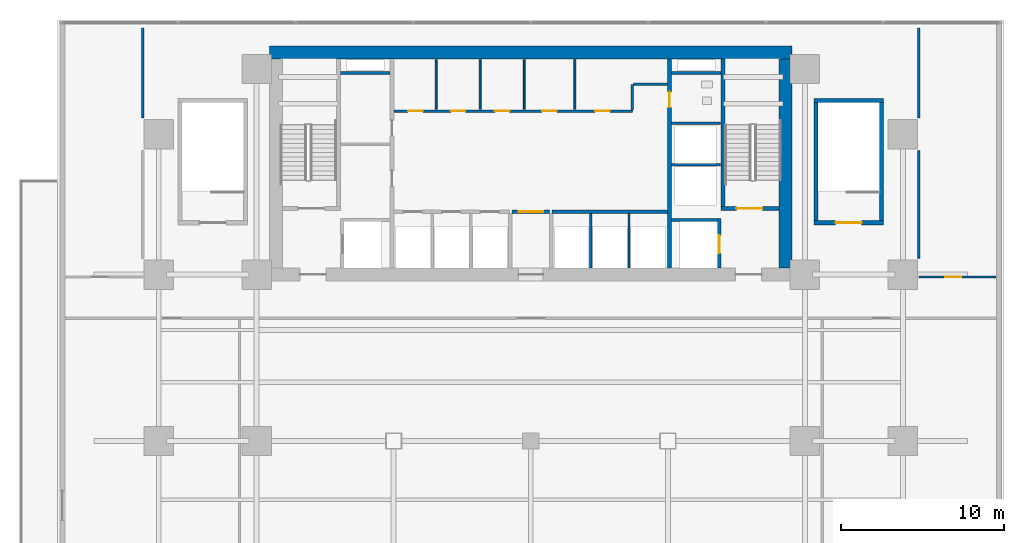
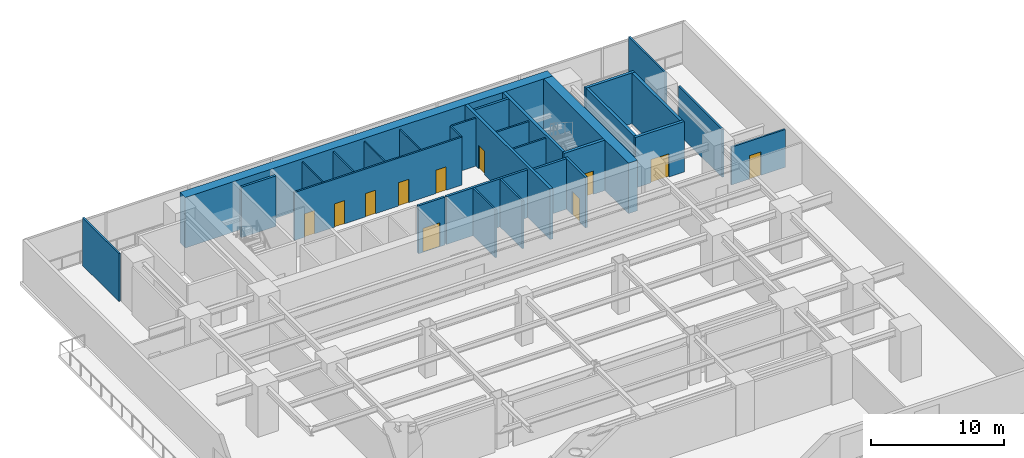
# One storey, part 10 of 15: 30 walls, 11 doors, 11 openings.
"""IFC4 building model written with IfcOpenShell, lengths in metres."""

from ifc_helpers import new_model, si_unit, direction, frame, frame_2d, origin, place, context, subcontext, project, spatial, rectangle, extrude, source, transform, mapped, material, layer, layer_set, type_object, element, fill, save


model = new_model("IFC4")

# Units and contexts
model_context = context("Model", 3, precision=1e-05, world=origin(), true_north=direction((0.0, 1.0)))
body_context = subcontext(model_context, "Body", "Model", "MODEL_VIEW")
ifc_project = project(units=[si_unit("LENGTHUNIT", "METRE"), si_unit("AREAUNIT", "SQUARE_METRE"), si_unit("VOLUMEUNIT", "CUBIC_METRE"), si_unit("PLANEANGLEUNIT", "RADIAN"), si_unit("MASSUNIT", "GRAM", prefix="KILO")], contexts=[model_context])

# Site, building, storey
site_placement = place(None, origin())
site = spatial("IfcSite", under=ifc_project, at=site_placement, CompositionType="ELEMENT")
building_placement = place(site_placement, origin())
building = spatial("IfcBuilding", under=site, at=building_placement, Name="Sumidabori Civic Tower", CompositionType="ELEMENT")
storey_placement = place(building_placement, frame((0.0, 0.0, 18.949951171875)))
storey = spatial("IfcBuildingStorey", under=building, at=storey_placement, Name="L04", CompositionType="ELEMENT", Elevation=18.949951171875)

# Walls
ifc_material_1 = material(Name="Concrete C60/75", Category="concrete")
ifc_layer_1 = layer(ifc_material_1, 0.800048828125, Name="Concrete C60/75")
ifc_layer_set_1 = layer_set([ifc_layer_1], Name="Concrete C60/75")
wall_type_1 = type_object("IfcWallType", Name="WL-CORE-800", PredefinedType="SHEAR", material=ifc_layer_set_1)
shared_shape_1 = source(origin(), body_context, "Body", "SweptSolid", [
    extrude(rectangle(XDim=32.0, YDim=0.800048828125, at=frame_2d((16.0, 0.0))), origin(), (0.0, 0.0, 1.0), 4.650146484375),
])
wall_1_placement = place(storey_placement, frame((-16.0, 23.800048828125, 0.0), z_axis=(0.0, 0.0, 1.0), x_axis=(1.0, 0.0, 0.0)))
element("IfcWall", 1, at=wall_1_placement, inside=storey, type_object=wall_type_1, Name="Core Shear Wall L04 N", PredefinedType="SHEAR", context=body_context, shape_type="MappedRepresentation", body=[
    mapped(shared_shape_1, transform((0.0, 0.0, 0.0), x_axis=(1.0, 0.0, 0.0), y_axis=(0.0, 1.0, 0.0), z_axis=(0.0, 0.0, 1.0), scale=1.0)),
])
shared_shape_2 = source(origin(), body_context, "Body", "SweptSolid", [
    extrude(rectangle(XDim=12.7998046875, YDim=0.800048828125, at=frame_2d((6.39990234375, 0.0))), origin(), (0.0, 0.0, 1.0), 4.650146484375),
])
wall_2_placement = place(storey_placement, frame((15.60009765625, 10.60009765625, 0.0), z_axis=(0.0, 0.0, 1.0), x_axis=(0.0, 1.0, 0.0)))
element("IfcWall", 2, at=wall_2_placement, inside=storey, type_object=wall_type_1, Name="Core Shear Wall L04 E", PredefinedType="SHEAR", context=body_context, shape_type="MappedRepresentation", body=[
    mapped(shared_shape_2, transform((0.0, 0.0, 0.0), x_axis=(1.0, 0.0, 0.0), y_axis=(0.0, 1.0, 0.0), z_axis=(0.0, 0.0, 1.0), scale=1.0)),
])

# Wall, opening, door
ifc_material_2 = material(Name="Concrete C50/60", Category="concrete")
ifc_layer_2 = layer(ifc_material_2, 0.25, Name="Concrete C50/60")
ifc_layer_set_2 = layer_set([ifc_layer_2], Name="Concrete C50/60")
wall_type_2 = type_object("IfcWallType", Name="WL-SHAFT-250", PredefinedType="SHEAR", material=ifc_layer_set_2)
shared_shape_3 = source(origin(), body_context, "Body", "SweptSolid", [
    extrude(rectangle(XDim=12.7998046875, YDim=0.25, at=frame_2d((6.39990234375, 0.0))), origin(), (0.0, 0.0, 1.0), 4.650146484375),
])
wall_3_placement = place(storey_placement, frame((8.5, 10.60009765625, 0.0), z_axis=(0.0, 0.0, 1.0), x_axis=(0.0, 1.0, 0.0)))
wall_3 = element("IfcWall", 3, at=wall_3_placement, inside=storey, type_object=wall_type_2, Name="Core Shear Wall L04 WEB-E", PredefinedType="SHEAR", context=body_context, shape_type="MappedRepresentation", body=[
    mapped(shared_shape_3, transform((0.0, 0.0, 0.0), x_axis=(1.0, 0.0, 0.0), y_axis=(0.0, 1.0, 0.0), z_axis=(0.0, 0.0, 1.0), scale=1.0)),
])
opening_1_placement = place(wall_3_placement, frame((9.85009765625, 0.0, 0.0)))
opening_1 = element("IfcOpeningElement", 4, at=opening_1_placement, cuts=wall_3, Name="Opening DR-2", PredefinedType="OPENING", context=body_context, shape_type="SweptSolid", body=[
    extrude(rectangle(XDim=0.949951171875, YDim=2.14990234375, at=frame_2d((0.47509765625, 1.074951171875))), frame((0.0, 0.136962890625, 0.0), z_axis=(0.0, -1.0, 0.0), x_axis=(1.0, 0.0, 0.0)), (0.0, 0.0, 1.0), 0.27392578125),
])
ifc_material_3 = material(Name="Japanese Hinoki Timber", Category="wood")
door_type_1 = type_object("IfcDoorType", Name="DR-INT-950", OperationType="NOTDEFINED", PredefinedType="DOOR", material=ifc_material_3)
shared_shape_4 = source(origin(), body_context, "Body", "SweptSolid", [
    extrude(rectangle(XDim=0.949951171875, YDim=2.14990234375, at=frame_2d((0.47509765625, 1.074951171875))), frame((0.0, 0.02490234375, 0.0), z_axis=(0.0, -1.0, 0.0), x_axis=(1.0, 0.0, 0.0)), (0.0, 0.0, 1.0), 0.050048828125),
])
door_1_placement = place(opening_1_placement, origin())
door_1 = element("IfcDoor", 5, at=door_1_placement, inside=storey, type_object=door_type_1, Name="Door DR:L04:WC-ACC", OperationType="SINGLE_SWING_RIGHT", OverallHeight=2.14990234375, OverallWidth=0.949951171875, PredefinedType="DOOR", context=body_context, shape_type="MappedRepresentation", body=[
    mapped(shared_shape_4, transform((0.0, 0.0, 0.0), x_axis=(1.0, 0.0, 0.0), y_axis=(0.0, 1.0, 0.0), z_axis=(0.0, 0.0, 1.0), scale=1.0)),
])
fill(opening_1, door_1)

shared_shape_5 = source(origin(), body_context, "Body", "SweptSolid", [
    extrude(rectangle(XDim=3.554931640625, YDim=0.25, at=frame_2d((1.77734375, 0.0))), origin(), (0.0, 0.0, 1.0), 4.650146484375),
])
wall_4_placement = place(storey_placement, frame((11.64501953125, 14.25, 0.0), z_axis=(0.0, 0.0, 1.0), x_axis=(1.0, 0.0, 0.0)))
wall_4 = element("IfcWall", 6, at=wall_4_placement, inside=storey, type_object=wall_type_2, Name="Core Shear Wall L04 ST2-S", PredefinedType="SHEAR", context=body_context, shape_type="MappedRepresentation", body=[
    mapped(shared_shape_5, transform((0.0, 0.0, 0.0), x_axis=(1.0, 0.0, 0.0), y_axis=(0.0, 1.0, 0.0), z_axis=(0.0, 0.0, 1.0), scale=1.0)),
])
opening_2_placement = place(wall_4_placement, frame((0.949951171875, 0.0, 0.0)))
opening_2 = element("IfcOpeningElement", 7, at=opening_2_placement, cuts=wall_4, Name="Opening DR-FD4", PredefinedType="OPENING", context=body_context, shape_type="SweptSolid", body=[
    extrude(rectangle(XDim=1.60009765625, YDim=2.14990234375, at=frame_2d((0.800048828125, 1.074951171875))), frame((0.0, 0.136962890625, 0.0), z_axis=(0.0, -1.0, 0.0), x_axis=(1.0, 0.0, 0.0)), (0.0, 0.0, 1.0), 0.27392578125),
])
ifc_material_4 = material(Name="Steel SN490", Category="steel")
door_type_2 = type_object("IfcDoorType", Name="DR-FD4", OperationType="DOUBLE_DOOR_SINGLE_SWING", PredefinedType="DOOR", material=ifc_material_4)
shared_shape_6 = source(origin(), body_context, "Body", "SweptSolid", [
    extrude(rectangle(XDim=1.60009765625, YDim=2.14990234375, at=frame_2d((0.800048828125, 1.074951171875))), frame((0.0, 0.02490234375, 0.0), z_axis=(0.0, -1.0, 0.0), x_axis=(1.0, 0.0, 0.0)), (0.0, 0.0, 1.0), 0.050048828125),
])
door_2_placement = place(opening_2_placement, origin())
door_2 = element("IfcDoor", 8, at=door_2_placement, inside=storey, type_object=door_type_2, Name="Door DR:L04:ST2", OperationType="DOUBLE_DOOR_SINGLE_SWING", OverallHeight=2.14990234375, OverallWidth=1.60009765625, PredefinedType="DOOR", context=body_context, shape_type="MappedRepresentation", body=[
    mapped(shared_shape_6, transform((0.0, 0.0, 0.0), x_axis=(1.0, 0.0, 0.0), y_axis=(0.0, 1.0, 0.0), z_axis=(0.0, 0.0, 1.0), scale=1.0)),
])
fill(opening_2, door_2)

# Wall
shared_shape_7 = source(origin(), body_context, "Body", "SweptSolid", [
    extrude(rectangle(XDim=9.02490234375, YDim=0.25, at=frame_2d((4.512451171875, 0.0))), origin(), (0.0, 0.0, 1.0), 4.650146484375),
])
wall_5_placement = place(storey_placement, frame((11.77001953125, 14.375, 0.0), z_axis=(0.0, 0.0, 1.0), x_axis=(0.0, 1.0, 0.0)))
element("IfcWall", 9, at=wall_5_placement, inside=storey, type_object=wall_type_2, Name="Core Shear Wall L04 ST2-W", PredefinedType="SHEAR", context=body_context, shape_type="MappedRepresentation", body=[
    mapped(shared_shape_7, transform((0.0, 0.0, 0.0), x_axis=(1.0, 0.0, 0.0), y_axis=(0.0, 1.0, 0.0), z_axis=(0.0, 0.0, 1.0), scale=1.0)),
])

# Wall, opening, door
ifc_layer_3 = layer(ifc_material_2, 0.199951171875, Name="Concrete C50/60")
ifc_layer_set_3 = layer_set([ifc_layer_3], Name="Concrete C50/60")
wall_type_3 = type_object("IfcWallType", Name="WL-SHAFT-200", PredefinedType="SHEAR", material=ifc_layer_set_3)
shared_shape_8 = source(origin(), body_context, "Body", "SweptSolid", [
    extrude(rectangle(XDim=3.0498046875, YDim=0.199951171875, at=frame_2d((1.52490234375, 0.0))), origin(), (0.0, 0.0, 1.0), 4.650146484375),
])
wall_6_placement = place(storey_placement, frame((11.550048828125, 10.60009765625, 0.0), z_axis=(0.0, 0.0, 1.0), x_axis=(0.0, 1.0, 0.0)))
wall_6 = element("IfcWall", 10, at=wall_6_placement, inside=storey, type_object=wall_type_3, Name="Core Shear Wall L04 EL2-E", PredefinedType="SHEAR", context=body_context, shape_type="MappedRepresentation", body=[
    mapped(shared_shape_8, transform((0.0, 0.0, 0.0), x_axis=(1.0, 0.0, 0.0), y_axis=(0.0, 1.0, 0.0), z_axis=(0.0, 0.0, 1.0), scale=1.0)),
])
opening_3_placement = place(wall_6_placement, frame((0.89990234375, 0.0, 0.0)))
opening_3 = element("IfcOpeningElement", 11, at=opening_3_placement, cuts=wall_6, Name="Opening LD-2", PredefinedType="OPENING", context=body_context, shape_type="SweptSolid", body=[
    extrude(rectangle(XDim=1.10009765625, YDim=2.14990234375, at=frame_2d((0.550048828125, 1.074951171875))), frame((0.0, 0.11181640625, 0.0), z_axis=(0.0, -1.0, 0.0), x_axis=(1.0, 0.0, 0.0)), (0.0, 0.0, 1.0), 0.223876953125),
])
ifc_material_5 = material(Name="Stainless Steel Hairline Finish", Category="steel")
door_type_3 = type_object("IfcDoorType", Name="DR-LD2", OperationType="DOUBLE_DOOR_SLIDING", PredefinedType="DOOR", material=ifc_material_5)
shared_shape_9 = source(origin(), body_context, "Body", "SweptSolid", [
    extrude(rectangle(XDim=1.10009765625, YDim=2.14990234375, at=frame_2d((0.550048828125, 1.074951171875))), frame((0.0, 0.02490234375, 0.0), z_axis=(0.0, -1.0, 0.0), x_axis=(1.0, 0.0, 0.0)), (0.0, 0.0, 1.0), 0.050048828125),
])
door_3_placement = place(opening_3_placement, origin())
door_3 = element("IfcDoor", 12, at=door_3_placement, inside=storey, type_object=door_type_3, Name="Door DR:L04:LD-EL2", OperationType="DOUBLE_DOOR_SLIDING", OverallHeight=2.14990234375, OverallWidth=1.10009765625, PredefinedType="DOOR", context=body_context, shape_type="MappedRepresentation", body=[
    mapped(shared_shape_9, transform((0.0, 0.0, 0.0), x_axis=(1.0, 0.0, 0.0), y_axis=(0.0, 1.0, 0.0), z_axis=(0.0, 0.0, 1.0), scale=1.0)),
])
fill(opening_3, door_3)

# Walls
shared_shape_10 = source(origin(), body_context, "Body", "SweptSolid", [
    extrude(rectangle(XDim=2.824951171875, YDim=0.199951171875, at=frame_2d((1.41259765625, 0.0))), origin(), (0.0, 0.0, 1.0), 4.650146484375),
])
wall_7_placement = place(storey_placement, frame((8.625, 13.550048828125, 0.0), z_axis=(0.0, 0.0, 1.0), x_axis=(1.0, 0.0, 0.0)))
element("IfcWall", 13, at=wall_7_placement, inside=storey, type_object=wall_type_3, Name="Core Shear Wall L04 EL2-N", PredefinedType="SHEAR", context=body_context, shape_type="MappedRepresentation", body=[
    mapped(shared_shape_10, transform((0.0, 0.0, 0.0), x_axis=(1.0, 0.0, 0.0), y_axis=(0.0, 1.0, 0.0), z_axis=(0.0, 0.0, 1.0), scale=1.0)),
])
shared_shape_11 = source(origin(), body_context, "Body", "SweptSolid", [
    extrude(rectangle(XDim=3.02001953125, YDim=0.199951171875, at=frame_2d((1.510009765625, 0.0))), origin(), (0.0, 0.0, 1.0), 4.650146484375),
])
for number, where, z_axis, x_axis, name in (
    (14, (-11.64501953125, 22.550048828125, 0.0), (0.0, 0.0, 1.0), (1.0, 0.0, 0.0), "Core Shear Wall L04 RIS1-S"),
    (15, (8.625, 22.550048828125, 0.0), (0.0, 0.0, 1.0), (1.0, 0.0, 0.0), "Core Shear Wall L04 RIS2-S"),
):
    element("IfcWall", number, at=place(storey_placement, frame(where, z_axis=z_axis, x_axis=x_axis)), inside=storey, type_object=wall_type_3, Name=name, PredefinedType="SHEAR", context=body_context, shape_type="MappedRepresentation", body=[
        mapped(shared_shape_11, transform((0.0, 0.0, 0.0), x_axis=(1.0, 0.0, 0.0), y_axis=(0.0, 1.0, 0.0), z_axis=(0.0, 0.0, 1.0), scale=1.0)),
    ])
shared_shape_12 = source(origin(), body_context, "Body", "SweptSolid", [
    extrude(rectangle(XDim=4.260009765625, YDim=0.25, at=frame_2d((2.1298828125, 0.0))), origin(), (0.0, 0.0, 1.0), 4.650146484375),
])
wall_8_placement = place(storey_placement, frame((17.35009765625, 20.864990234375, 0.0), z_axis=(0.0, 0.0, 1.0), x_axis=(1.0, 0.0, 0.0)))
element("IfcWall", 16, at=wall_8_placement, inside=storey, type_object=wall_type_2, Name="Core Shear Wall L04 ST4-N", PredefinedType="SHEAR", context=body_context, shape_type="MappedRepresentation", body=[
    mapped(shared_shape_12, transform((0.0, 0.0, 0.0), x_axis=(1.0, 0.0, 0.0), y_axis=(0.0, 1.0, 0.0), z_axis=(0.0, 0.0, 1.0), scale=1.0)),
])

# Wall, opening, door
wall_9_placement = place(storey_placement, frame((17.35009765625, 13.375, 0.0), z_axis=(0.0, 0.0, 1.0), x_axis=(1.0, 0.0, 0.0)))
wall_9 = element("IfcWall", 17, at=wall_9_placement, inside=storey, type_object=wall_type_2, Name="Core Shear Wall L04 ST4-S", PredefinedType="SHEAR", context=body_context, shape_type="MappedRepresentation", body=[
    mapped(shared_shape_12, transform((0.0, 0.0, 0.0), x_axis=(1.0, 0.0, 0.0), y_axis=(0.0, 1.0, 0.0), z_axis=(0.0, 0.0, 1.0), scale=1.0)),
])
opening_4_placement = place(wall_9_placement, frame((1.330078125, 0.0, 0.0)))
opening_4 = element("IfcOpeningElement", 18, at=opening_4_placement, cuts=wall_9, Name="Opening DR-FD4", PredefinedType="OPENING", context=body_context, shape_type="SweptSolid", body=[
    extrude(rectangle(XDim=1.60009765625, YDim=2.14990234375, at=frame_2d((0.800048828125, 1.074951171875))), frame((0.0, 0.136962890625, 0.0), z_axis=(0.0, -1.0, 0.0), x_axis=(1.0, 0.0, 0.0)), (0.0, 0.0, 1.0), 0.27392578125),
])
door_4_placement = place(opening_4_placement, origin())
door_4 = element("IfcDoor", 19, at=door_4_placement, inside=storey, type_object=door_type_2, Name="Door DR:L04:ST4", OperationType="DOUBLE_DOOR_SINGLE_SWING", OverallHeight=2.14990234375, OverallWidth=1.60009765625, PredefinedType="DOOR", context=body_context, shape_type="MappedRepresentation", body=[
    mapped(shared_shape_6, transform((0.0, 0.0, 0.0), x_axis=(1.0, 0.0, 0.0), y_axis=(0.0, 1.0, 0.0), z_axis=(0.0, 0.0, 1.0), scale=1.0)),
])
fill(opening_4, door_4)

# Walls
shared_shape_13 = source(origin(), body_context, "Body", "SweptSolid", [
    extrude(rectangle(XDim=7.230224609375, YDim=0.25, at=frame_2d((3.615234375, 0.0))), origin(), (0.0, 0.0, 1.0), 4.650146484375),
])
for number, where, z_axis, x_axis, name in (
    (20, (17.47509765625, 13.5048828125, 0.0), (0.0, 0.0, 1.0), (0.0, 1.0, 0.0), "Core Shear Wall L04 ST4-W"),
    (21, (21.485107421875, 13.5048828125, 0.0), (0.0, 0.0, 1.0), (0.0, 1.0, 0.0), "Core Shear Wall L04 ST4-E"),
):
    element("IfcWall", number, at=place(storey_placement, frame(where, z_axis=z_axis, x_axis=x_axis)), inside=storey, type_object=wall_type_2, Name=name, PredefinedType="SHEAR", context=body_context, shape_type="MappedRepresentation", body=[
        mapped(shared_shape_13, transform((0.0, 0.0, 0.0), x_axis=(1.0, 0.0, 0.0), y_axis=(0.0, 1.0, 0.0), z_axis=(0.0, 0.0, 1.0), scale=1.0)),
    ])
ifc_material_6 = material(Name="Gypsum Plasterboard Acoustic Partition")
ifc_layer_4 = layer(ifc_material_6, 0.14990234375, Name="Gypsum Plasterboard Acoustic Partition")
ifc_layer_set_4 = layer_set([ifc_layer_4], Name="Gypsum Plasterboard Acoustic Partition")
wall_type_4 = type_object("IfcWallType", Name="WL-PART-150", PredefinedType="PARTITIONING", material=ifc_layer_set_4)
shared_shape_14 = source(origin(), body_context, "Body", "SweptSolid", [
    extrude(rectangle(XDim=3.010009765625, YDim=0.14990234375, at=frame_2d((1.5048828125, 0.0))), origin(), (0.0, 0.0, 1.0), 4.41015625),
])
for number, where, z_axis, x_axis, name in (
    (22, (8.6298828125, 16.919921875, 0.0), (0.0, 0.0, 1.0), (1.0, 0.0, 0.0), "Interior Partition WL:L04:DIV-OBS1"),
    (23, (8.6298828125, 19.469970703125, 0.0), (0.0, 0.0, 1.0), (1.0, 0.0, 0.0), "Interior Partition WL:L04:DIV-OBS2"),
):
    element("IfcWall", number, at=place(storey_placement, frame(where, z_axis=z_axis, x_axis=x_axis)), inside=storey, type_object=wall_type_4, Name=name, PredefinedType="PARTITIONING", context=body_context, shape_type="MappedRepresentation", body=[
        mapped(shared_shape_14, transform((0.0, 0.0, 0.0), x_axis=(1.0, 0.0, 0.0), y_axis=(0.0, 1.0, 0.0), z_axis=(0.0, 0.0, 1.0), scale=1.0)),
    ])
ifc_material_7 = material(Name="Gypsum Plasterboard Fire Partition")
ifc_layer_5 = layer(ifc_material_7, 0.199951171875, Name="Gypsum Plasterboard Fire Partition")
ifc_layer_set_5 = layer_set([ifc_layer_5], Name="Gypsum Plasterboard Fire Partition")
wall_type_5 = type_object("IfcWallType", Name="WL-PART-FIRE", PredefinedType="PARTITIONING", material=ifc_layer_set_5)
shared_shape_15 = source(origin(), body_context, "Body", "SweptSolid", [
    extrude(rectangle(XDim=7.070068359375, YDim=0.199951171875, at=frame_2d((3.53515625, 0.0))), origin(), (0.0, 0.0, 1.0), 4.41015625),
])
wall_10_placement = place(storey_placement, frame((1.300048828125, 14.050048828125, 0.0), z_axis=(0.0, 0.0, 1.0), x_axis=(1.0, 0.0, 0.0)))
element("IfcWall", 24, at=wall_10_placement, inside=storey, type_object=wall_type_5, Name="Interior Partition WL:L04:CBAND-SE", PredefinedType="PARTITIONING", context=body_context, shape_type="MappedRepresentation", body=[
    mapped(shared_shape_15, transform((0.0, 0.0, 0.0), x_axis=(1.0, 0.0, 0.0), y_axis=(0.0, 1.0, 0.0), z_axis=(0.0, 0.0, 1.0), scale=1.0)),
])

# Wall, opening, door
shared_shape_16 = source(origin(), body_context, "Body", "SweptSolid", [
    extrude(rectangle(XDim=2.2998046875, YDim=0.199951171875, at=frame_2d((1.14990234375, 0.0))), origin(), (0.0, 0.0, 1.0), 4.41015625),
])
wall_11_placement = place(storey_placement, frame((-1.14990234375, 14.050048828125, 0.0), z_axis=(0.0, 0.0, 1.0), x_axis=(1.0, 0.0, 0.0)))
wall_11 = element("IfcWall", 25, at=wall_11_placement, inside=storey, type_object=wall_type_5, Name="Interior Partition WL:L04:THROAT-N", PredefinedType="PARTITIONING", context=body_context, shape_type="MappedRepresentation", body=[
    mapped(shared_shape_16, transform((0.0, 0.0, 0.0), x_axis=(1.0, 0.0, 0.0), y_axis=(0.0, 1.0, 0.0), z_axis=(0.0, 0.0, 1.0), scale=1.0)),
])
opening_5_placement = place(wall_11_placement, frame((0.39990234375, 0.0, 0.0)))
opening_5 = element("IfcOpeningElement", 26, at=opening_5_placement, cuts=wall_11, Name="Opening DR-FD3", PredefinedType="OPENING", context=body_context, shape_type="SweptSolid", body=[
    extrude(rectangle(XDim=1.5, YDim=2.199951171875, at=frame_2d((0.75, 1.10009765625))), frame((0.0, 0.11181640625, 0.0), z_axis=(0.0, -1.0, 0.0), x_axis=(1.0, 0.0, 0.0)), (0.0, 0.0, 1.0), 0.223876953125),
])
door_type_4 = type_object("IfcDoorType", Name="DR-FD-DBL", OperationType="DOUBLE_DOOR_SINGLE_SWING", PredefinedType="DOOR", material=ifc_material_4)
shared_shape_17 = source(origin(), body_context, "Body", "SweptSolid", [
    extrude(rectangle(XDim=1.5, YDim=2.199951171875, at=frame_2d((0.75, 1.10009765625))), frame((0.0, 0.02490234375, 0.0), z_axis=(0.0, -1.0, 0.0), x_axis=(1.0, 0.0, 0.0)), (0.0, 0.0, 1.0), 0.050048828125),
])
door_5_placement = place(opening_5_placement, origin())
door_5 = element("IfcDoor", 27, at=door_5_placement, inside=storey, type_object=door_type_4, Name="Door DR:L04:THROAT-IN", OperationType="DOUBLE_DOOR_SINGLE_SWING", OverallHeight=2.199951171875, OverallWidth=1.5, PredefinedType="DOOR", context=body_context, shape_type="MappedRepresentation", body=[
    mapped(shared_shape_17, transform((0.0, 0.0, 0.0), x_axis=(1.0, 0.0, 0.0), y_axis=(0.0, 1.0, 0.0), z_axis=(0.0, 0.0, 1.0), scale=1.0)),
])
fill(opening_5, door_5)

# Wall, openings, doors
shared_shape_18 = source(origin(), body_context, "Body", "SweptSolid", [
    extrude(rectangle(XDim=14.590087890625, YDim=0.14990234375, at=frame_2d((7.294921875, 0.0))), origin(), (0.0, 0.0, 1.0), 4.41015625),
])
wall_12_placement = place(storey_placement, frame((-8.3701171875, 20.219970703125, 0.0), z_axis=(0.0, 0.0, 1.0), x_axis=(1.0, 0.0, 0.0)))
wall_12 = element("IfcWall", 28, at=wall_12_placement, inside=storey, type_object=wall_type_4, Name="Interior Partition WL:L04:CBAND-M", PredefinedType="PARTITIONING", context=body_context, shape_type="MappedRepresentation", body=[
    mapped(shared_shape_18, transform((0.0, 0.0, 0.0), x_axis=(1.0, 0.0, 0.0), y_axis=(0.0, 1.0, 0.0), z_axis=(0.0, 0.0, 1.0), scale=1.0)),
])
opening_6_placement = place(wall_12_placement, frame((0.860107421875, 0.0, 0.0)))
opening_6 = element("IfcOpeningElement", 29, at=opening_6_placement, cuts=wall_12, Name="Opening DR-1", PredefinedType="OPENING", context=body_context, shape_type="SweptSolid", body=[
    extrude(rectangle(XDim=0.89990234375, YDim=2.14990234375, at=frame_2d((0.449951171875, 1.074951171875))), frame((0.0, 0.0869140625, 0.0), z_axis=(0.0, -1.0, 0.0), x_axis=(1.0, 0.0, 0.0)), (0.0, 0.0, 1.0), 0.173828125),
])
opening_7_placement = place(wall_12_placement, frame((3.469970703125, 0.0, 0.0)))
opening_7 = element("IfcOpeningElement", 30, at=opening_7_placement, cuts=wall_12, Name="Opening DR-1", PredefinedType="OPENING", context=body_context, shape_type="SweptSolid", body=[
    extrude(rectangle(XDim=0.89990234375, YDim=2.14990234375, at=frame_2d((0.449951171875, 1.074951171875))), frame((0.0, 0.0869140625, 0.0), z_axis=(0.0, -1.0, 0.0), x_axis=(1.0, 0.0, 0.0)), (0.0, 0.0, 1.0), 0.173828125),
])
opening_8_placement = place(wall_12_placement, frame((6.169921875, 0.0, 0.0)))
opening_8 = element("IfcOpeningElement", 31, at=opening_8_placement, cuts=wall_12, Name="Opening DR-1", PredefinedType="OPENING", context=body_context, shape_type="SweptSolid", body=[
    extrude(rectangle(XDim=0.89990234375, YDim=2.14990234375, at=frame_2d((0.449951171875, 1.074951171875))), frame((0.0, 0.0869140625, 0.0), z_axis=(0.0, -1.0, 0.0), x_axis=(1.0, 0.0, 0.0)), (0.0, 0.0, 1.0), 0.173828125),
])
opening_9_placement = place(wall_12_placement, frame((9.070068359375, 0.0, 0.0)))
opening_9 = element("IfcOpeningElement", 32, at=opening_9_placement, cuts=wall_12, Name="Opening DR-1", PredefinedType="OPENING", context=body_context, shape_type="SweptSolid", body=[
    extrude(rectangle(XDim=0.89990234375, YDim=2.14990234375, at=frame_2d((0.449951171875, 1.074951171875))), frame((0.0, 0.0869140625, 0.0), z_axis=(0.0, -1.0, 0.0), x_axis=(1.0, 0.0, 0.0)), (0.0, 0.0, 1.0), 0.173828125),
])
opening_10_placement = place(wall_12_placement, frame((12.320068359375, 0.0, 0.0)))
opening_10 = element("IfcOpeningElement", 33, at=opening_10_placement, cuts=wall_12, Name="Opening DR-1", PredefinedType="OPENING", context=body_context, shape_type="SweptSolid", body=[
    extrude(rectangle(XDim=0.89990234375, YDim=2.14990234375, at=frame_2d((0.449951171875, 1.074951171875))), frame((0.0, 0.0869140625, 0.0), z_axis=(0.0, -1.0, 0.0), x_axis=(1.0, 0.0, 0.0)), (0.0, 0.0, 1.0), 0.173828125),
])
door_type_5 = type_object("IfcDoorType", Name="DR-INT-900", OperationType="NOTDEFINED", PredefinedType="DOOR", material=ifc_material_3)
shared_shape_19 = source(origin(), body_context, "Body", "SweptSolid", [
    extrude(rectangle(XDim=0.89990234375, YDim=2.14990234375, at=frame_2d((0.449951171875, 1.074951171875))), frame((0.0, 0.02490234375, 0.0), z_axis=(0.0, -1.0, 0.0), x_axis=(1.0, 0.0, 0.0)), (0.0, 0.0, 1.0), 0.050048828125),
])
door_6_placement = place(opening_6_placement, origin())
door_6 = element("IfcDoor", 34, at=door_6_placement, inside=storey, type_object=door_type_5, Name="Door DR:L04:CB-1", OperationType="SINGLE_SWING_LEFT", OverallHeight=2.14990234375, OverallWidth=0.89990234375, PredefinedType="DOOR", context=body_context, shape_type="MappedRepresentation", body=[
    mapped(shared_shape_19, transform((0.0, 0.0, 0.0), x_axis=(1.0, 0.0, 0.0), y_axis=(0.0, 1.0, 0.0), z_axis=(0.0, 0.0, 1.0), scale=1.0)),
])
fill(opening_6, door_6)
door_7_placement = place(opening_7_placement, origin())
door_7 = element("IfcDoor", 35, at=door_7_placement, inside=storey, type_object=door_type_5, Name="Door DR:L04:CB-2", OperationType="SINGLE_SWING_RIGHT", OverallHeight=2.14990234375, OverallWidth=0.89990234375, PredefinedType="DOOR", context=body_context, shape_type="MappedRepresentation", body=[
    mapped(shared_shape_19, transform((0.0, 0.0, 0.0), x_axis=(1.0, 0.0, 0.0), y_axis=(0.0, 1.0, 0.0), z_axis=(0.0, 0.0, 1.0), scale=1.0)),
])
fill(opening_7, door_7)
door_8_placement = place(opening_8_placement, origin())
door_8 = element("IfcDoor", 36, at=door_8_placement, inside=storey, type_object=door_type_5, Name="Door DR:L04:CB-3", OperationType="SINGLE_SWING_LEFT", OverallHeight=2.14990234375, OverallWidth=0.89990234375, PredefinedType="DOOR", context=body_context, shape_type="MappedRepresentation", body=[
    mapped(shared_shape_19, transform((0.0, 0.0, 0.0), x_axis=(1.0, 0.0, 0.0), y_axis=(0.0, 1.0, 0.0), z_axis=(0.0, 0.0, 1.0), scale=1.0)),
])
fill(opening_8, door_8)
door_9_placement = place(opening_9_placement, origin())
door_9 = element("IfcDoor", 37, at=door_9_placement, inside=storey, type_object=door_type_5, Name="Door DR:L04:CB-4", OperationType="SINGLE_SWING_RIGHT", OverallHeight=2.14990234375, OverallWidth=0.89990234375, PredefinedType="DOOR", context=body_context, shape_type="MappedRepresentation", body=[
    mapped(shared_shape_19, transform((0.0, 0.0, 0.0), x_axis=(1.0, 0.0, 0.0), y_axis=(0.0, 1.0, 0.0), z_axis=(0.0, 0.0, 1.0), scale=1.0)),
])
fill(opening_9, door_9)
door_10_placement = place(opening_10_placement, origin())
door_10 = element("IfcDoor", 38, at=door_10_placement, inside=storey, type_object=door_type_5, Name="Door DR:L04:CB-5", OperationType="SINGLE_SWING_LEFT", OverallHeight=2.14990234375, OverallWidth=0.89990234375, PredefinedType="DOOR", context=body_context, shape_type="MappedRepresentation", body=[
    mapped(shared_shape_19, transform((0.0, 0.0, 0.0), x_axis=(1.0, 0.0, 0.0), y_axis=(0.0, 1.0, 0.0), z_axis=(0.0, 0.0, 1.0), scale=1.0)),
])
fill(opening_10, door_10)

# Walls
shared_shape_20 = source(origin(), body_context, "Body", "SweptSolid", [
    extrude(rectangle(XDim=1.550048828125, YDim=0.14990234375, at=frame_2d((0.77490234375, 0.0))), origin(), (0.0, 0.0, 1.0), 4.41015625),
])
wall_13_placement = place(storey_placement, frame((6.219970703125, 20.300048828125, 0.0), z_axis=(0.0, 0.0, 1.0), x_axis=(0.0, 1.0, 0.0)))
element("IfcWall", 39, at=wall_13_placement, inside=storey, type_object=wall_type_4, Name="Interior Partition WL:L04:CBAND-ME1", PredefinedType="PARTITIONING", context=body_context, shape_type="MappedRepresentation", body=[
    mapped(shared_shape_20, transform((0.0, 0.0, 0.0), x_axis=(1.0, 0.0, 0.0), y_axis=(0.0, 1.0, 0.0), z_axis=(0.0, 0.0, 1.0), scale=1.0)),
])
shared_shape_21 = source(origin(), body_context, "Body", "SweptSolid", [
    extrude(rectangle(XDim=2.070068359375, YDim=0.14990234375, at=frame_2d((1.03515625, 0.0))), origin(), (0.0, 0.0, 1.0), 4.41015625),
])
wall_14_placement = place(storey_placement, frame((6.300048828125, 21.85009765625, 0.0), z_axis=(0.0, 0.0, 1.0), x_axis=(1.0, 0.0, 0.0)))
element("IfcWall", 40, at=wall_14_placement, inside=storey, type_object=wall_type_4, Name="Interior Partition WL:L04:CBAND-ME2", PredefinedType="PARTITIONING", context=body_context, shape_type="MappedRepresentation", body=[
    mapped(shared_shape_21, transform((0.0, 0.0, 0.0), x_axis=(1.0, 0.0, 0.0), y_axis=(0.0, 1.0, 0.0), z_axis=(0.0, 0.0, 1.0), scale=1.0)),
])
shared_shape_22 = source(origin(), body_context, "Body", "SweptSolid", [
    extrude(rectangle(XDim=3.33984375, YDim=0.14990234375, at=frame_2d((1.669921875, 0.0))), origin(), (0.0, 0.0, 1.0), 4.41015625),
])
for number, where, z_axis, x_axis, name in (
    (41, (3.669921875, 10.60009765625, 0.0), (0.0, 0.0, 1.0), (0.0, 1.0, 0.0), "Interior Partition WL:L04:DIV-PLM1"),
    (42, (6.02001953125, 10.60009765625, 0.0), (0.0, 0.0, 1.0), (0.0, 1.0, 0.0), "Interior Partition WL:L04:DIV-PLM2"),
):
    element("IfcWall", number, at=place(storey_placement, frame(where, z_axis=z_axis, x_axis=x_axis)), inside=storey, type_object=wall_type_4, Name=name, PredefinedType="PARTITIONING", context=body_context, shape_type="MappedRepresentation", body=[
        mapped(shared_shape_22, transform((0.0, 0.0, 0.0), x_axis=(1.0, 0.0, 0.0), y_axis=(0.0, 1.0, 0.0), z_axis=(0.0, 0.0, 1.0), scale=1.0)),
    ])
ifc_layer_6 = layer(ifc_material_6, 0.1201171875, Name="Gypsum Plasterboard Acoustic Partition")
ifc_layer_set_6 = layer_set([ifc_layer_6], Name="Gypsum Plasterboard Acoustic Partition")
wall_type_6 = type_object("IfcWallType", Name="WL-PART-120", PredefinedType="PARTITIONING", material=ifc_layer_set_6)
shared_shape_23 = source(origin(), body_context, "Body", "SweptSolid", [
    extrude(rectangle(XDim=3.0400390625, YDim=0.1201171875, at=frame_2d((1.52001953125, 0.0))), origin(), (0.0, 0.0, 1.0), 4.41015625),
])
for number, where, z_axis, x_axis, name in (
    (43, (-5.800048828125, 20.320068359375, 0.0), (0.0, 0.0, 1.0), (0.0, 1.0, 0.0), "Interior Partition WL:L04:LV8-S1"),
    (44, (-3.10009765625, 20.320068359375, 0.0), (0.0, 0.0, 1.0), (0.0, 1.0, 0.0), "Interior Partition WL:L04:LV8-S2"),
    (45, (-0.39990234375, 20.320068359375, 0.0), (0.0, 0.0, 1.0), (0.0, 1.0, 0.0), "Interior Partition WL:L04:LV8-S3"),
    (46, (2.699951171875, 20.320068359375, 0.0), (0.0, 0.0, 1.0), (0.0, 1.0, 0.0), "Interior Partition WL:L04:LV8-S4"),
):
    element("IfcWall", number, at=place(storey_placement, frame(where, z_axis=z_axis, x_axis=x_axis)), inside=storey, type_object=wall_type_6, Name=name, PredefinedType="PARTITIONING", context=body_context, shape_type="MappedRepresentation", body=[
        mapped(shared_shape_23, transform((0.0, 0.0, 0.0), x_axis=(1.0, 0.0, 0.0), y_axis=(0.0, 1.0, 0.0), z_axis=(0.0, 0.0, 1.0), scale=1.0)),
    ])

# Wall, opening, door
shared_shape_24 = source(origin(), body_context, "Body", "SweptSolid", [
    extrude(rectangle(XDim=4.699951171875, YDim=0.14990234375, at=frame_2d((2.35009765625, 0.0))), origin(), (0.0, 0.0, 1.0), 3.485107421875),
])
wall_15_placement = place(storey_placement, frame((23.800048828125, 10.050048828125, 0.0), z_axis=(0.0, 0.0, 1.0), x_axis=(1.0, 0.0, 0.0)))
wall_15 = element("IfcWall", 47, at=wall_15_placement, inside=storey, type_object=wall_type_4, Name="Interior Partition WL:L04:CORR-NE", PredefinedType="PARTITIONING", context=body_context, shape_type="MappedRepresentation", body=[
    mapped(shared_shape_24, transform((0.0, 0.0, 0.0), x_axis=(1.0, 0.0, 0.0), y_axis=(0.0, 1.0, 0.0), z_axis=(0.0, 0.0, 1.0), scale=1.0)),
])
opening_11_placement = place(wall_15_placement, frame((1.60009765625, 0.0, 0.0)))
opening_11 = element("IfcOpeningElement", 48, at=opening_11_placement, cuts=wall_15, Name="Opening DR-3", PredefinedType="OPENING", context=body_context, shape_type="SweptSolid", body=[
    extrude(rectangle(XDim=0.97998046875, YDim=2.14990234375, at=frame_2d((0.489990234375, 1.074951171875))), frame((0.0, 0.0869140625, 0.0), z_axis=(0.0, -1.0, 0.0), x_axis=(1.0, 0.0, 0.0)), (0.0, 0.0, 1.0), 0.173828125),
])
door_type_6 = type_object("IfcDoorType", Name="DR-INT-980", OperationType="NOTDEFINED", PredefinedType="DOOR", material=ifc_material_3)
shared_shape_25 = source(origin(), body_context, "Body", "SweptSolid", [
    extrude(rectangle(XDim=0.97998046875, YDim=2.14990234375, at=frame_2d((0.489990234375, 1.074951171875))), frame((0.0, 0.02490234375, 0.0), z_axis=(0.0, -1.0, 0.0), x_axis=(1.0, 0.0, 0.0)), (0.0, 0.0, 1.0), 0.050048828125),
])
door_11_placement = place(opening_11_placement, origin())
door_11 = element("IfcDoor", 49, at=door_11_placement, inside=storey, type_object=door_type_6, Name="Door DR:L04:PD-NE", OperationType="SINGLE_SWING_RIGHT", OverallHeight=2.14990234375, OverallWidth=0.97998046875, PredefinedType="DOOR", context=body_context, shape_type="MappedRepresentation", body=[
    mapped(shared_shape_25, transform((0.0, 0.0, 0.0), x_axis=(1.0, 0.0, 0.0), y_axis=(0.0, 1.0, 0.0), z_axis=(0.0, 0.0, 1.0), scale=1.0)),
])
fill(opening_11, door_11)

# Walls
shared_shape_26 = source(origin(), body_context, "Body", "SweptSolid", [
    extrude(rectangle(XDim=6.60009765625, YDim=0.14990234375, at=frame_2d((3.300048828125, 0.0))), origin(), (0.0, 0.0, 1.0), 4.41015625),
])
wall_16_placement = place(storey_placement, frame((23.780029296875, 11.199951171875, 0.0), z_axis=(0.0, 0.0, 1.0), x_axis=(0.0, 1.0, 0.0)))
element("IfcWall", 50, at=wall_16_placement, inside=storey, type_object=wall_type_4, Name="Interior Partition WL:L04:NE-W1", PredefinedType="PARTITIONING", context=body_context, shape_type="MappedRepresentation", body=[
    mapped(shared_shape_26, transform((0.0, 0.0, 0.0), x_axis=(1.0, 0.0, 0.0), y_axis=(0.0, 1.0, 0.0), z_axis=(0.0, 0.0, 1.0), scale=1.0)),
])
shared_shape_27 = source(origin(), body_context, "Body", "SweptSolid", [
    extrude(rectangle(XDim=5.5, YDim=0.14990234375, at=frame_2d((2.75, 0.0))), origin(), (0.0, 0.0, 1.0), 4.41015625),
])
for number, where, z_axis, x_axis, name in (
    (51, (-23.780029296875, 19.800048828125, 0.0), (0.0, 0.0, 1.0), (0.0, 1.0, 0.0), "Interior Partition WL:L04:NW-E2"),
    (52, (23.780029296875, 19.800048828125, 0.0), (0.0, 0.0, 1.0), (0.0, 1.0, 0.0), "Interior Partition WL:L04:NE-W2"),
):
    element("IfcWall", number, at=place(storey_placement, frame(where, z_axis=z_axis, x_axis=x_axis)), inside=storey, type_object=wall_type_4, Name=name, PredefinedType="PARTITIONING", context=body_context, shape_type="MappedRepresentation", body=[
        mapped(shared_shape_27, transform((0.0, 0.0, 0.0), x_axis=(1.0, 0.0, 0.0), y_axis=(0.0, 1.0, 0.0), z_axis=(0.0, 0.0, 1.0), scale=1.0)),
    ])

save(model, "model.ifc")
